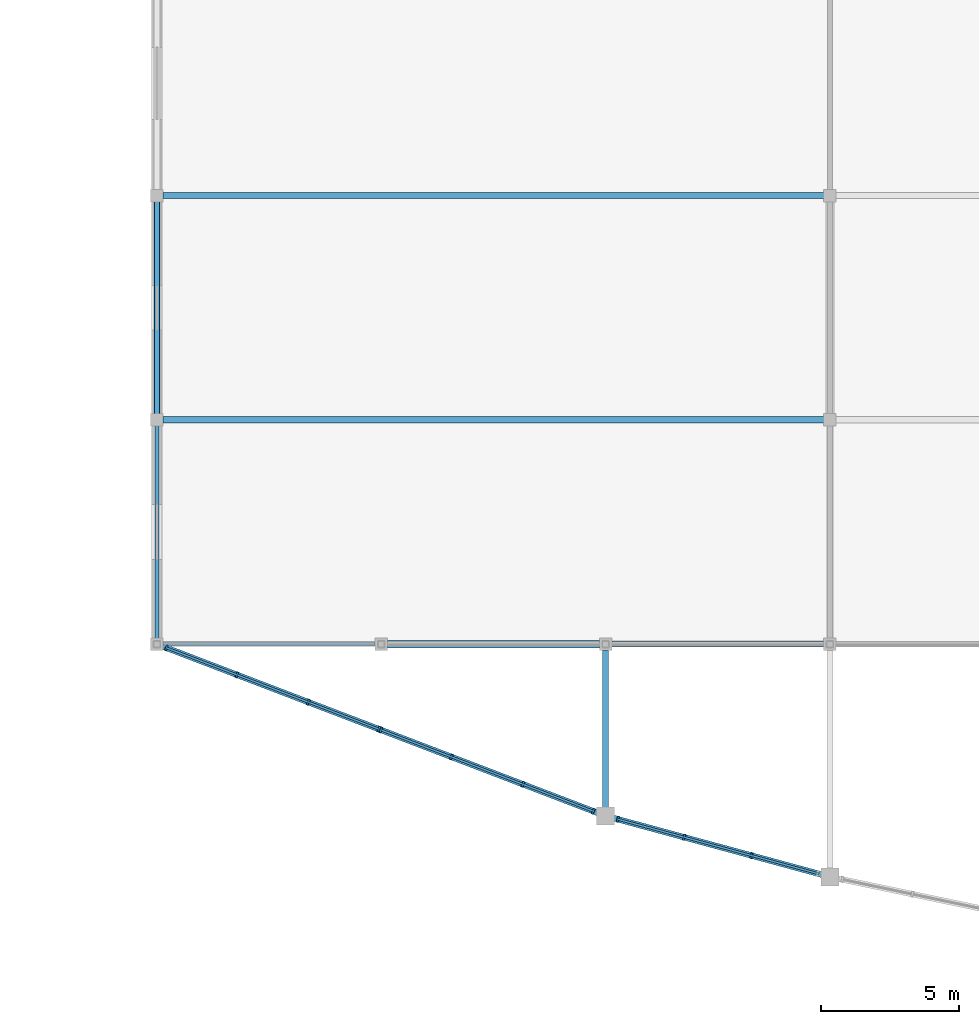
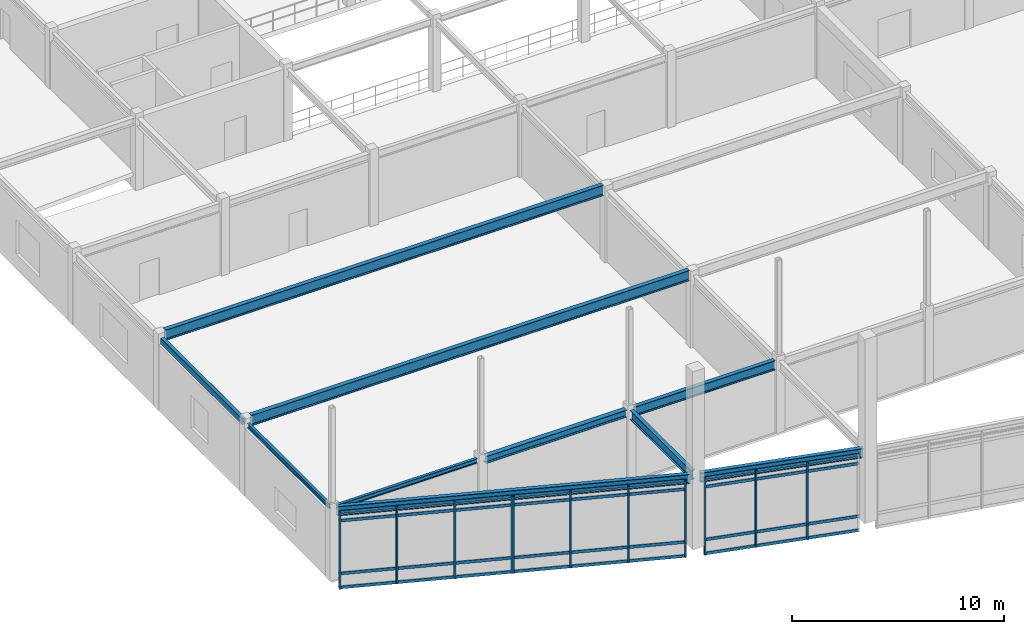
# One storey, part 21 of 89: 23 members, 10 beams, 3 elements without a shape of their own.
"""IFC4 building model written with IfcOpenShell, lengths in metres."""

from ifc_helpers import new_model, si_unit, direction, frame, origin, origin_2d, place, context, subcontext, project, spatial, rectangle, hollow_rectangle, i_section, extrude, material, layer, layer_set, material_profile, profile_set, type_object, element, aggregate, save


model = new_model("IFC4")

# Units and contexts
model_context = context("Model", 3, precision=1e-05, world=origin(), true_north=direction((0.0, 1.0)))
body_context = subcontext(model_context, "Body", "Model", "MODEL_VIEW")
ifc_project = project(units=[si_unit("LENGTHUNIT", "METRE"), si_unit("AREAUNIT", "SQUARE_METRE"), si_unit("VOLUMEUNIT", "CUBIC_METRE"), si_unit("PLANEANGLEUNIT", "RADIAN"), si_unit("MASSUNIT", "GRAM", prefix="KILO")], contexts=[model_context])

# Site, building, storey
site_placement = place(None, origin())
site = spatial("IfcSite", under=ifc_project, at=site_placement, CompositionType="ELEMENT")
building_placement = place(site_placement, origin())
building = spatial("IfcBuilding", under=site, at=building_placement, Name="Vaudrelin Polytechnic", CompositionType="ELEMENT")
storey_placement = place(building_placement, frame((0.0, 0.0, 9.68994140625)))
storey = spatial("IfcBuildingStorey", under=building, at=storey_placement, Name="L02", CompositionType="ELEMENT", Elevation=9.68994140625)

# Beams
ifc_material_1 = material(Name="Steel CSA G40.21 350WT", Category="steel")
ifc_material_profile_1 = material_profile(ifc_material_1, i_section(OverallWidth=0.260009765625, OverallDepth=0.4150390625, WebThickness=0.010009765625, FlangeThickness=0.016845703125, FilletRadius=0.01611328125, at=origin_2d()), Name="W410x100")
ifc_profile_set_1 = profile_set([ifc_material_profile_1], Name="Steel CSA G40.21 350WT")
beam_type_1 = type_object("IfcBeamType", Name="BM-BM-W410H", PredefinedType="SPANDREL", material=ifc_profile_set_1)
beam_1_placement = place(storey_placement, frame((48.821044921875, 0.0, 3.9326171875), z_axis=(1.0, 0.0, 0.0), x_axis=(0.0, 1.0, 0.0)))
element("IfcBeam", 1, at=beam_1_placement, inside=storey, type_object=beam_type_1, Name="L02 X-beam 7-1", PredefinedType="SPANDREL", context=body_context, shape_type="SweptSolid", body=[
    extrude(i_section(OverallWidth=0.260009765625, OverallDepth=0.4150390625, WebThickness=0.010009765625, FlangeThickness=0.016845703125, FilletRadius=0.01611328125, at=origin_2d()), origin(), (0.0, 0.0, 1.0), 7.657958984375),
])
ifc_material_2 = material(Name="Steel CSA G40.21 350W", Category="steel")
ifc_material_profile_2 = material_profile(ifc_material_2, i_section(OverallWidth=0.208984375, OverallDepth=0.532958984375, WebThickness=0.01025390625, FlangeThickness=0.015625, FilletRadius=0.01904296875, at=origin_2d()), Name="W530x92")
ifc_profile_set_2 = profile_set([ifc_material_profile_2], Name="Steel CSA G40.21 350W")
beam_type_2 = type_object("IfcBeamType", Name="BM-BM-W530", PredefinedType="BEAM", material=ifc_profile_set_2)
beam_2_placement = place(storey_placement, frame((56.699951171875, -5.97998046875, 3.87353515625), z_axis=(0.0, 1.0, 0.0), x_axis=(-1.0, 0.0, 0.0)))
element("IfcBeam", 2, at=beam_2_placement, inside=storey, type_object=beam_type_2, Name="Sculptural edge beam L02 V2P_TIE_7", PredefinedType="BEAM", context=body_context, shape_type="SweptSolid", body=[
    extrude(i_section(OverallWidth=0.208984375, OverallDepth=0.532958984375, WebThickness=0.01025390625, FlangeThickness=0.015625, FilletRadius=0.01904296875, at=origin_2d()), origin(), (0.0, 0.0, 1.0), 5.760009765625),
])
ifc_material_profile_3 = material_profile(ifc_material_2, i_section(OverallWidth=0.214111328125, OverallDepth=0.549072265625, WebThickness=0.0146484375, FlangeThickness=0.023681640625, FilletRadius=0.01904296875, at=origin_2d()), Name="W530x138")
ifc_profile_set_3 = profile_set([ifc_material_profile_3], Name="Steel CSA G40.21 350W")
beam_type_3 = type_object("IfcBeamType", Name="BM-BM-W530H", PredefinedType="BEAM", material=ifc_profile_set_3)
beam_3_placement = place(storey_placement, frame((56.9208984375, 0.0, 3.865478515625), z_axis=(1.0, 0.0, 0.0), x_axis=(0.0, 1.0, 0.0)))
element("IfcBeam", 3, at=beam_3_placement, inside=storey, type_object=beam_type_3, Name="L02 X-beam 8-1", PredefinedType="BEAM", context=body_context, shape_type="SweptSolid", body=[
    extrude(i_section(OverallWidth=0.214111328125, OverallDepth=0.549072265625, WebThickness=0.0146484375, FlangeThickness=0.023681640625, FilletRadius=0.01904296875, at=origin_2d()), origin(), (0.0, 0.0, 1.0), 7.658203125),
])
beam_4_placement = place(storey_placement, frame((40.70556640625, -0.07861328125, 3.865478515625), z_axis=(0.933936876912, -0.357437980555, 0.0), x_axis=(0.357437980555, 0.933936876912, 0.0)))
element("IfcBeam", 4, at=beam_4_placement, inside=storey, type_object=beam_type_3, Name="Sculptural edge beam L02 V2P_BM_1", PredefinedType="BEAM", context=body_context, shape_type="SweptSolid", body=[
    extrude(i_section(OverallWidth=0.214111328125, OverallDepth=0.549072265625, WebThickness=0.0146484375, FlangeThickness=0.023681640625, FilletRadius=0.01904296875, at=origin_2d()), origin(), (0.0, 0.0, 1.0), 16.90576171875),
])
beam_5_placement = place(storey_placement, frame((56.912353515625, -6.2578125, 3.865478515625), z_axis=(0.965043793818, -0.262088679675, 0.0), x_axis=(0.262088679675, 0.965043793818, 0.0)))
element("IfcBeam", 5, at=beam_5_placement, inside=storey, type_object=beam_type_3, Name="Sculptural edge beam L02 V2P_BM_2", PredefinedType="BEAM", context=body_context, shape_type="SweptSolid", body=[
    extrude(i_section(OverallWidth=0.214111328125, OverallDepth=0.549072265625, WebThickness=0.0146484375, FlangeThickness=0.023681640625, FilletRadius=0.01904296875, at=origin_2d()), origin(), (0.0, 0.0, 1.0), 7.953369140625),
])
ifc_material_profile_4 = material_profile(ifc_material_2, i_section(OverallWidth=0.22802734375, OverallDepth=0.60791015625, WebThickness=0.01123046875, FlangeThickness=0.017333984375, FilletRadius=0.02001953125, at=origin_2d()), Name="W610x113")
ifc_profile_set_4 = profile_set([ifc_material_profile_4], Name="Steel CSA G40.21 350W")
beam_type_4 = type_object("IfcBeamType", Name="BM-BM-W610", PredefinedType="BEAM", material=ifc_profile_set_4)
for number, where, z_axis, x_axis, name in (
    (6, (40.720947265625, 8.10009765625, 4.115966796875), (1.0, 0.0, 0.0), (0.0, 1.0, 0.0), "Lecture hall clear-span girder L02-1A"),
    (7, (40.720947265625, 16.199951171875, 4.115966796875), (1.0, 0.0, 0.0), (0.0, 1.0, 0.0), "Lecture hall clear-span girder L02-2A"),
):
    element("IfcBeam", number, at=place(storey_placement, frame(where, z_axis=z_axis, x_axis=x_axis)), inside=storey, type_object=beam_type_4, Name=name, PredefinedType="BEAM", context=body_context, shape_type="SweptSolid", body=[
        extrude(i_section(OverallWidth=0.22802734375, OverallDepth=0.60791015625, WebThickness=0.01123046875, FlangeThickness=0.017333984375, FilletRadius=0.02001953125, at=origin_2d()), origin(), (0.0, 0.0, 1.0), 23.858154296875),
    ])
ifc_material_profile_5 = material_profile(ifc_material_2, i_section(OverallWidth=0.14794921875, OverallDepth=0.26611328125, WebThickness=0.007568359375, FlangeThickness=0.012939453125, FilletRadius=0.012939453125, at=origin_2d()), Name="W250x45")
ifc_profile_set_5 = profile_set([ifc_material_profile_5], Name="Steel CSA G40.21 350W")
beam_type_5 = type_object("IfcBeamType", Name="BM-JS-W250", PredefinedType="JOIST", material=ifc_profile_set_5)
beam_6_placement = place(storey_placement, frame((40.5, 0.2099609375, 4.007080078125), z_axis=(0.0, 1.0, 0.0), x_axis=(-1.0, 0.0, 0.0)))
element("IfcBeam", 8, at=beam_6_placement, inside=storey, type_object=beam_type_5, Name="L02 Y-beam 6-1", PredefinedType="JOIST", context=body_context, shape_type="SweptSolid", body=[
    extrude(i_section(OverallWidth=0.14794921875, OverallDepth=0.26611328125, WebThickness=0.007568359375, FlangeThickness=0.012939453125, FilletRadius=0.012939453125, at=origin_2d()), origin(), (0.0, 0.0, 1.0), 7.679931640625),
])
beam_7_placement = place(storey_placement, frame((40.720947265625, 0.0, 4.007080078125), z_axis=(1.0, 0.0, 0.0), x_axis=(0.0, 1.0, 0.0)))
element("IfcBeam", 9, at=beam_7_placement, inside=storey, type_object=beam_type_5, Name="L02 X-beam 6-1", PredefinedType="JOIST", context=body_context, shape_type="SweptSolid", body=[
    extrude(i_section(OverallWidth=0.14794921875, OverallDepth=0.26611328125, WebThickness=0.007568359375, FlangeThickness=0.012939453125, FilletRadius=0.012939453125, at=origin_2d()), origin(), (0.0, 0.0, 1.0), 7.657958984375),
])
ifc_material_profile_6 = material_profile(ifc_material_1, hollow_rectangle(XDim=0.202880859375, YDim=0.35595703125, WallThickness=0.0126953125, InnerFilletRadius=0.0126953125, OuterFilletRadius=0.025390625, at=origin_2d()), Name="HSS356x203x12.7")
ifc_profile_set_6 = profile_set([ifc_material_profile_6], Name="Steel CSA G40.21 350WT")
beam_type_6 = type_object("IfcBeamType", Name="BM-SP-HSS35", PredefinedType="SPANDREL", material=ifc_profile_set_6)
beam_8_placement = place(storey_placement, frame((40.5, 8.31005859375, 3.962158203125), z_axis=(0.0, 1.0, 0.0), x_axis=(-1.0, 0.0, 0.0)))
element("IfcBeam", 10, at=beam_8_placement, inside=storey, type_object=beam_type_6, Name="L02 Y-beam 6-2", PredefinedType="SPANDREL", context=body_context, shape_type="SweptSolid", body=[
    extrude(hollow_rectangle(XDim=0.202880859375, YDim=0.35595703125, WallThickness=0.0126953125, InnerFilletRadius=0.0126953125, OuterFilletRadius=0.025390625, at=origin_2d()), origin(), (0.0, 0.0, 1.0), 7.679931640625),
])

# Curtain wall, members
ifc_material_3 = material(Name="Thermally broken anodised aluminium AA 6063-T6 and low-e triple glazing", Category="aluminium")
ifc_layer = layer(ifc_material_3, 0.199951171875)
ifc_layer_set = layer_set([ifc_layer], Name="Thermally broken anodised aluminium AA 6063-T6 and low-e triple glazing")
curtain_wall_type = type_object("IfcCurtainWallType", Name="CW-CW-WG", PredefinedType="USERDEFINED", material=ifc_layer_set)
curtain_wall_1_placement = place(storey_placement, origin())
curtain_wall_1 = element("IfcCurtainWall", 11, at=curtain_wall_1_placement, inside=storey, type_object=curtain_wall_type, Name="Curtain wall L02 V2P_1_0", ObjectType="CURTAIN WALL", PredefinedType="USERDEFINED")
ifc_material_4 = material(Name="Anodised aluminium AA 6063-T6", Category="aluminium")
ifc_material_profile_7 = material_profile(ifc_material_4, rectangle(XDim=0.074951171875, YDim=0.219970703125, at=origin_2d()), Name="CWM-75x220")
ifc_profile_set_7 = profile_set([ifc_material_profile_7], Name="Anodised aluminium AA 6063-T6")
member_type_1 = type_object("IfcMemberType", Name="MEM-CWM-220", PredefinedType="MULLION", material=ifc_profile_set_7)
member_1_placement = place(storey_placement, frame((40.841796875, -0.130859375, -0.6298828125), z_axis=(0.0, 0.0, 1.0), x_axis=(0.933941296106, -0.357426433589, 0.0)))
member_1 = element("IfcMember", 12, at=member_1_placement, type_object=member_type_1, Name="V2P_1_0 mullion 1", PredefinedType="MULLION", context=body_context, shape_type="SweptSolid", body=[
    extrude(rectangle(XDim=0.074951171875, YDim=0.219970703125, at=origin_2d()), origin(), (0.0, 0.0, 1.0), 4.43994140625),
])
member_2_placement = place(storey_placement, frame((43.38623046875, -1.1044921875, -0.6298828125), z_axis=(0.0, 0.0, 1.0), x_axis=(0.933941296106, -0.357426433589, 0.0)))
member_2 = element("IfcMember", 13, at=member_2_placement, type_object=member_type_1, Name="V2P_1_0 mullion 2", PredefinedType="MULLION", context=body_context, shape_type="SweptSolid", body=[
    extrude(rectangle(XDim=0.074951171875, YDim=0.219970703125, at=origin_2d()), origin(), (0.0, 0.0, 1.0), 4.43994140625),
])
member_3_placement = place(storey_placement, frame((45.968017578125, -2.0927734375, -0.6298828125), z_axis=(0.0, 0.0, 1.0), x_axis=(0.933941296106, -0.357426433589, 0.0)))
member_3 = element("IfcMember", 14, at=member_3_placement, type_object=member_type_1, Name="V2P_1_0 mullion 3", PredefinedType="MULLION", context=body_context, shape_type="SweptSolid", body=[
    extrude(rectangle(XDim=0.074951171875, YDim=0.219970703125, at=origin_2d()), origin(), (0.0, 0.0, 1.0), 4.43994140625),
])
member_4_placement = place(storey_placement, frame((48.5126953125, -3.06640625, -0.6298828125), z_axis=(0.0, 0.0, 1.0), x_axis=(0.933941296106, -0.357426433589, 0.0)))
member_4 = element("IfcMember", 15, at=member_4_placement, type_object=member_type_1, Name="V2P_1_0 mullion 4", PredefinedType="MULLION", context=body_context, shape_type="SweptSolid", body=[
    extrude(rectangle(XDim=0.074951171875, YDim=0.219970703125, at=origin_2d()), origin(), (0.0, 0.0, 1.0), 4.43994140625),
])

curtain_wall_2_placement = place(storey_placement, origin())
curtain_wall_2 = element("IfcCurtainWall", 16, at=curtain_wall_2_placement, inside=storey, type_object=curtain_wall_type, Name="Curtain wall L02 V2P_1_1", ObjectType="CURTAIN WALL", PredefinedType="USERDEFINED")
member_5_placement = place(storey_placement, frame((48.58740234375, -3.09521484375, -0.6298828125), z_axis=(0.0, 0.0, 1.0), x_axis=(0.933937271016, -0.357436950814, 0.0)))
member_5 = element("IfcMember", 17, at=member_5_placement, type_object=member_type_1, Name="V2P_1_1 mullion 1", PredefinedType="MULLION", context=body_context, shape_type="SweptSolid", body=[
    extrude(rectangle(XDim=0.074951171875, YDim=0.219970703125, at=origin_2d()), origin(), (0.0, 0.0, 1.0), 4.43994140625),
])
member_6_placement = place(storey_placement, frame((51.1318359375, -4.06884765625, -0.6298828125), z_axis=(0.0, 0.0, 1.0), x_axis=(0.933937271016, -0.357436950814, 0.0)))
member_6 = element("IfcMember", 18, at=member_6_placement, type_object=member_type_1, Name="V2P_1_1 mullion 2", PredefinedType="MULLION", context=body_context, shape_type="SweptSolid", body=[
    extrude(rectangle(XDim=0.074951171875, YDim=0.219970703125, at=origin_2d()), origin(), (0.0, 0.0, 1.0), 4.43994140625),
])
member_7_placement = place(storey_placement, frame((53.713623046875, -5.05712890625, -0.6298828125), z_axis=(0.0, 0.0, 1.0), x_axis=(0.933937271016, -0.357436950814, 0.0)))
member_7 = element("IfcMember", 19, at=member_7_placement, type_object=member_type_1, Name="V2P_1_1 mullion 3", PredefinedType="MULLION", context=body_context, shape_type="SweptSolid", body=[
    extrude(rectangle(XDim=0.074951171875, YDim=0.219970703125, at=origin_2d()), origin(), (0.0, 0.0, 1.0), 4.43994140625),
])
member_8_placement = place(storey_placement, frame((56.25830078125, -6.031005859375, -0.6298828125), z_axis=(0.0, 0.0, 1.0), x_axis=(0.933937271016, -0.357436950814, 0.0)))
member_8 = element("IfcMember", 20, at=member_8_placement, type_object=member_type_1, Name="V2P_1_1 mullion 4", PredefinedType="MULLION", context=body_context, shape_type="SweptSolid", body=[
    extrude(rectangle(XDim=0.074951171875, YDim=0.219970703125, at=origin_2d()), origin(), (0.0, 0.0, 1.0), 4.43994140625),
])

curtain_wall_3_placement = place(storey_placement, origin())
curtain_wall_3 = element("IfcCurtainWall", 21, at=curtain_wall_3_placement, inside=storey, type_object=curtain_wall_type, Name="Curtain wall L02 V2P_2_0", ObjectType="CURTAIN WALL", PredefinedType="USERDEFINED")
member_9_placement = place(storey_placement, frame((57.1455078125, -6.321044921875, -0.6298828125), z_axis=(0.0, 0.0, 1.0), x_axis=(0.965042039381, -0.26209513965, 0.0)))
member_9 = element("IfcMember", 22, at=member_9_placement, type_object=member_type_1, Name="V2P_2_0 mullion 1", PredefinedType="MULLION", context=body_context, shape_type="SweptSolid", body=[
    extrude(rectangle(XDim=0.074951171875, YDim=0.219970703125, at=origin_2d()), origin(), (0.0, 0.0, 1.0), 4.43994140625),
])
member_10_placement = place(storey_placement, frame((59.53564453125, -6.97021484375, -0.6298828125), z_axis=(0.0, 0.0, 1.0), x_axis=(0.965042039381, -0.26209513965, 0.0)))
member_10 = element("IfcMember", 23, at=member_10_placement, type_object=member_type_1, Name="V2P_2_0 mullion 2", PredefinedType="MULLION", context=body_context, shape_type="SweptSolid", body=[
    extrude(rectangle(XDim=0.074951171875, YDim=0.219970703125, at=origin_2d()), origin(), (0.0, 0.0, 1.0), 4.43994140625),
])
member_11_placement = place(storey_placement, frame((61.96435546875, -7.6298828125, -0.6298828125), z_axis=(0.0, 0.0, 1.0), x_axis=(0.965042039381, -0.26209513965, 0.0)))
member_11 = element("IfcMember", 24, at=member_11_placement, type_object=member_type_1, Name="V2P_2_0 mullion 3", PredefinedType="MULLION", context=body_context, shape_type="SweptSolid", body=[
    extrude(rectangle(XDim=0.074951171875, YDim=0.219970703125, at=origin_2d()), origin(), (0.0, 0.0, 1.0), 4.43994140625),
])

# Member
ifc_material_profile_8 = material_profile(ifc_material_4, rectangle(XDim=0.074951171875, YDim=0.1650390625, at=origin_2d()), Name="CWT-75x165")
ifc_profile_set_8 = profile_set([ifc_material_profile_8], Name="Anodised aluminium AA 6063-T6")
member_type_2 = type_object("IfcMemberType", Name="MEM-CWT-165", PredefinedType="USERDEFINED", material=ifc_profile_set_8)
member_12_placement = place(storey_placement, frame((40.804443359375, -0.116455078125, -0.579833984375), z_axis=(0.933939147693, -0.357432047257, 0.0), x_axis=(0.357432047257, 0.933939147693, 0.0)))
member_12 = element("IfcMember", 25, at=member_12_placement, type_object=member_type_2, Name="V2P_1_0 transom 1", ObjectType="TRANSOM", PredefinedType="USERDEFINED", context=body_context, shape_type="SweptSolid", body=[
    extrude(rectangle(XDim=0.074951171875, YDim=0.1650390625, at=origin_2d()), origin(), (0.0, 0.0, 1.0), 8.29345703125),
])

member_13_placement = place(storey_placement, frame((40.804443359375, -0.116455078125, 0.219970703125), z_axis=(0.933939147693, -0.357432047257, 0.0), x_axis=(0.357432047257, 0.933939147693, 0.0)))
member_13 = element("IfcMember", 26, at=member_13_placement, type_object=member_type_2, Name="V2P_1_0 transom 2", ObjectType="TRANSOM", PredefinedType="USERDEFINED", context=body_context, shape_type="SweptSolid", body=[
    extrude(rectangle(XDim=0.074951171875, YDim=0.1650390625, at=origin_2d()), origin(), (0.0, 0.0, 1.0), 8.29345703125),
])

member_14_placement = place(storey_placement, frame((40.804443359375, -0.116455078125, 3.260009765625), z_axis=(0.933939147693, -0.357432047257, 0.0), x_axis=(0.357432047257, 0.933939147693, 0.0)))
member_14 = element("IfcMember", 27, at=member_14_placement, type_object=member_type_2, Name="V2P_1_0 transom 3", ObjectType="TRANSOM", PredefinedType="USERDEFINED", context=body_context, shape_type="SweptSolid", body=[
    extrude(rectangle(XDim=0.074951171875, YDim=0.1650390625, at=origin_2d()), origin(), (0.0, 0.0, 1.0), 8.29345703125),
])

member_15_placement = place(storey_placement, frame((40.804443359375, -0.116455078125, 3.760009765625), z_axis=(0.933939147693, -0.357432047257, 0.0), x_axis=(0.357432047257, 0.933939147693, 0.0)))
member_15 = element("IfcMember", 28, at=member_15_placement, type_object=member_type_2, Name="V2P_1_0 transom 4", ObjectType="TRANSOM", PredefinedType="USERDEFINED", context=body_context, shape_type="SweptSolid", body=[
    extrude(rectangle(XDim=0.074951171875, YDim=0.1650390625, at=origin_2d()), origin(), (0.0, 0.0, 1.0), 8.29345703125),
])

aggregate(curtain_wall_1, [member_1, member_2, member_3, member_4, member_12, member_13, member_14, member_15])

member_16_placement = place(storey_placement, frame((48.550048828125, -3.080810546875, -0.579833984375), z_axis=(0.933939147693, -0.357432047257, 0.0), x_axis=(0.357432047257, 0.933939147693, 0.0)))
member_16 = element("IfcMember", 29, at=member_16_placement, type_object=member_type_2, Name="V2P_1_1 transom 1", ObjectType="TRANSOM", PredefinedType="USERDEFINED", context=body_context, shape_type="SweptSolid", body=[
    extrude(rectangle(XDim=0.074951171875, YDim=0.1650390625, at=origin_2d()), origin(), (0.0, 0.0, 1.0), 8.29345703125),
])

member_17_placement = place(storey_placement, frame((48.550048828125, -3.080810546875, 0.219970703125), z_axis=(0.933939147693, -0.357432047257, 0.0), x_axis=(0.357432047257, 0.933939147693, 0.0)))
member_17 = element("IfcMember", 30, at=member_17_placement, type_object=member_type_2, Name="V2P_1_1 transom 2", ObjectType="TRANSOM", PredefinedType="USERDEFINED", context=body_context, shape_type="SweptSolid", body=[
    extrude(rectangle(XDim=0.074951171875, YDim=0.1650390625, at=origin_2d()), origin(), (0.0, 0.0, 1.0), 8.29345703125),
])

member_18_placement = place(storey_placement, frame((48.550048828125, -3.080810546875, 3.260009765625), z_axis=(0.933939147693, -0.357432047257, 0.0), x_axis=(0.357432047257, 0.933939147693, 0.0)))
member_18 = element("IfcMember", 31, at=member_18_placement, type_object=member_type_2, Name="V2P_1_1 transom 3", ObjectType="TRANSOM", PredefinedType="USERDEFINED", context=body_context, shape_type="SweptSolid", body=[
    extrude(rectangle(XDim=0.074951171875, YDim=0.1650390625, at=origin_2d()), origin(), (0.0, 0.0, 1.0), 8.29345703125),
])

member_19_placement = place(storey_placement, frame((48.550048828125, -3.080810546875, 3.760009765625), z_axis=(0.933939147693, -0.357432047257, 0.0), x_axis=(0.357432047257, 0.933939147693, 0.0)))
member_19 = element("IfcMember", 32, at=member_19_placement, type_object=member_type_2, Name="V2P_1_1 transom 4", ObjectType="TRANSOM", PredefinedType="USERDEFINED", context=body_context, shape_type="SweptSolid", body=[
    extrude(rectangle(XDim=0.074951171875, YDim=0.1650390625, at=origin_2d()), origin(), (0.0, 0.0, 1.0), 8.29345703125),
])

aggregate(curtain_wall_2, [member_5, member_6, member_7, member_8, member_16, member_17, member_18, member_19])

member_20_placement = place(storey_placement, frame((57.10693359375, -6.310546875, -0.579833984375), z_axis=(0.965044595608, -0.262085727362, 0.0), x_axis=(0.262085727362, 0.965044595608, 0.0)))
member_20 = element("IfcMember", 33, at=member_20_placement, type_object=member_type_2, Name="V2P_2_0 transom 1", ObjectType="TRANSOM", PredefinedType="USERDEFINED", context=body_context, shape_type="SweptSolid", body=[
    extrude(rectangle(XDim=0.074951171875, YDim=0.1650390625, at=origin_2d()), origin(), (0.0, 0.0, 1.0), 7.550048828125),
])

member_21_placement = place(storey_placement, frame((57.10693359375, -6.310546875, 0.219970703125), z_axis=(0.965044595608, -0.262085727362, 0.0), x_axis=(0.262085727362, 0.965044595608, 0.0)))
member_21 = element("IfcMember", 34, at=member_21_placement, type_object=member_type_2, Name="V2P_2_0 transom 2", ObjectType="TRANSOM", PredefinedType="USERDEFINED", context=body_context, shape_type="SweptSolid", body=[
    extrude(rectangle(XDim=0.074951171875, YDim=0.1650390625, at=origin_2d()), origin(), (0.0, 0.0, 1.0), 7.550048828125),
])

member_22_placement = place(storey_placement, frame((57.10693359375, -6.310546875, 3.260009765625), z_axis=(0.965044595608, -0.262085727362, 0.0), x_axis=(0.262085727362, 0.965044595608, 0.0)))
member_22 = element("IfcMember", 35, at=member_22_placement, type_object=member_type_2, Name="V2P_2_0 transom 3", ObjectType="TRANSOM", PredefinedType="USERDEFINED", context=body_context, shape_type="SweptSolid", body=[
    extrude(rectangle(XDim=0.074951171875, YDim=0.1650390625, at=origin_2d()), origin(), (0.0, 0.0, 1.0), 7.550048828125),
])

member_23_placement = place(storey_placement, frame((57.10693359375, -6.310546875, 3.760009765625), z_axis=(0.965044595608, -0.262085727362, 0.0), x_axis=(0.262085727362, 0.965044595608, 0.0)))
member_23 = element("IfcMember", 36, at=member_23_placement, type_object=member_type_2, Name="V2P_2_0 transom 4", ObjectType="TRANSOM", PredefinedType="USERDEFINED", context=body_context, shape_type="SweptSolid", body=[
    extrude(rectangle(XDim=0.074951171875, YDim=0.1650390625, at=origin_2d()), origin(), (0.0, 0.0, 1.0), 7.550048828125),
])

aggregate(curtain_wall_3, [member_9, member_10, member_11, member_20, member_21, member_22, member_23])

save(model, "model.ifc")
